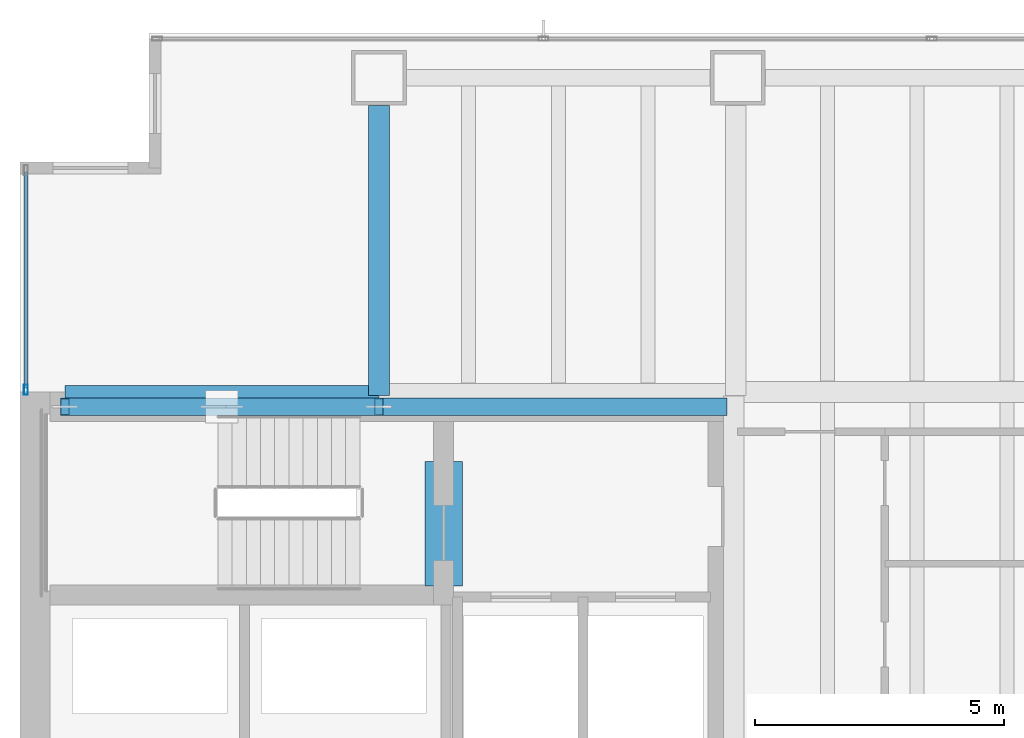
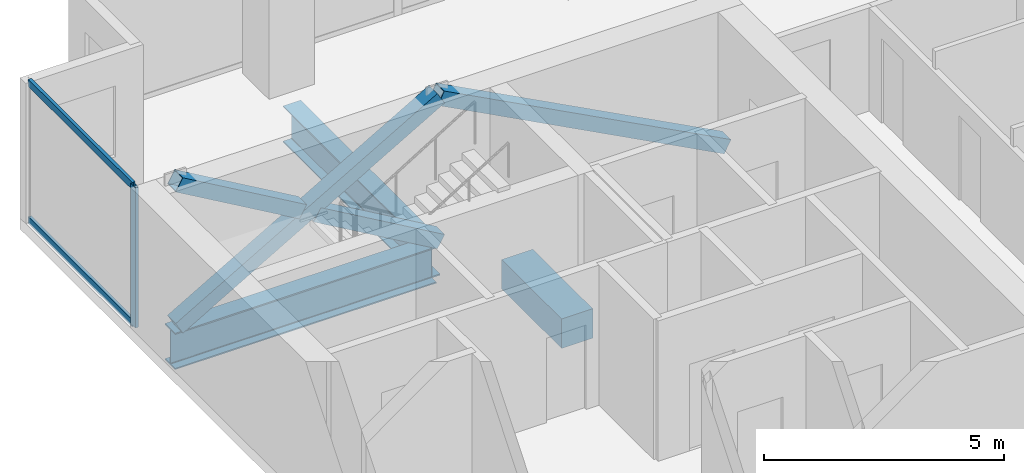
# One storey, part 14 of 25: 7 members, 3 beams, 1 element without a shape of its own.
"""IFC4 building model written with IfcOpenShell, lengths in metres."""

from ifc_helpers import new_model, si_unit, direction, frame, origin, origin_2d, place, context, subcontext, project, spatial, rectangle, hollow_rectangle, i_section, extrude, material, material_profile, profile_set, type_object, element, aggregate, save


model = new_model("IFC4")

# Units and contexts
model_context = context("Model", 3, precision=1e-05, world=origin(), true_north=direction((0.0, 1.0)))
body_context = subcontext(model_context, "Body", "Model", "MODEL_VIEW")
ifc_project = project(units=[si_unit("LENGTHUNIT", "METRE"), si_unit("AREAUNIT", "SQUARE_METRE"), si_unit("VOLUMEUNIT", "CUBIC_METRE"), si_unit("PLANEANGLEUNIT", "RADIAN"), si_unit("MASSUNIT", "GRAM", prefix="KILO")], contexts=[model_context])

# Site, building, storey
site_placement = place(None, origin())
site = spatial("IfcSite", under=ifc_project, at=site_placement, CompositionType="ELEMENT")
building_placement = place(site_placement, origin())
building = spatial("IfcBuilding", under=site, at=building_placement, Name="Cobrela Telecom Tower", CompositionType="ELEMENT")
storey_placement = place(building_placement, frame((0.0, 0.0, 35.0)))
storey = spatial("IfcBuildingStorey", under=building, at=storey_placement, Name="L08", CompositionType="ELEMENT", Elevation=35.0)

# Beams
ifc_material_1 = material(Name="Concrete C40/50", Category="concrete")
ifc_material_profile_1 = material_profile(ifc_material_1, rectangle(XDim=0.75, YDim=0.75, at=origin_2d()), Name="RC 750x750")
ifc_profile_set_1 = profile_set([ifc_material_profile_1], Name="Concrete C40/50")
beam_type_1 = type_object("IfcBeamType", Name="BM-COUP-RC", PredefinedType="LINTEL", material=ifc_profile_set_1)
beam_1_placement = place(storey_placement, frame((8.5, 32.10009765625, -0.6298828125), z_axis=(0.0, 1.0, 0.0), x_axis=(-1.0, 0.0, 0.0)))
element("IfcBeam", 1, at=beam_1_placement, inside=storey, type_object=beam_type_1, Name="L08 Core Coupling Lintel Beam", PredefinedType="LINTEL", context=body_context, shape_type="SweptSolid", body=[
    extrude(rectangle(XDim=0.75, YDim=0.75, at=origin_2d()), origin(), (0.0, 0.0, 1.0), 2.5),
])
ifc_material_2 = material(Name="Steel ASTM A992 Grade 50", Category="steel")
ifc_material_profile_2 = material_profile(ifc_material_2, i_section(OverallWidth=0.4189453125, OverallDepth=0.927001953125, WebThickness=0.019287109375, FlangeThickness=0.031982421875, FilletRadius=0.02392578125, at=origin_2d()), Name="W36X231")
ifc_profile_set_2 = profile_set([ifc_material_profile_2], Name="Steel ASTM A992 Grade 50")
beam_type_2 = type_object("IfcBeamType", Name="BM-GIRD-02", PredefinedType="USERDEFINED", material=ifc_profile_set_2)
beam_2_placement = place(storey_placement, frame((0.905029296875, 35.919921875, -0.743408203125), z_axis=(1.0, 0.0, 0.0), x_axis=(0.0, 1.0, 0.0)))
element("IfcBeam", 2, at=beam_2_placement, inside=storey, type_object=beam_type_2, Name="L08 Primary Girder X25", ObjectType="GIRDER", PredefinedType="USERDEFINED", context=body_context, shape_type="SweptSolid", body=[
    extrude(i_section(OverallWidth=0.4189453125, OverallDepth=0.927001953125, WebThickness=0.019287109375, FlangeThickness=0.031982421875, FilletRadius=0.02392578125, at=origin_2d()), origin(), (0.0, 0.0, 1.0), 6.2900390625),
])
beam_3_placement = place(storey_placement, frame((7.199951171875, 35.925048828125, -0.743408203125), z_axis=(0.0, 1.0, 0.0), x_axis=(-1.0, 0.0, 0.0)))
element("IfcBeam", 3, at=beam_3_placement, inside=storey, type_object=beam_type_2, Name="L08 Primary Girder Y33", ObjectType="GIRDER", PredefinedType="USERDEFINED", context=body_context, shape_type="SweptSolid", body=[
    extrude(i_section(OverallWidth=0.4189453125, OverallDepth=0.927001953125, WebThickness=0.019287109375, FlangeThickness=0.031982421875, FilletRadius=0.02392578125, at=origin_2d()), origin(), (0.0, 0.0, 1.0), 5.820068359375),
])

# Curtain wall, members
ifc_material_3 = material(Name="Anodized Bronze Aluminium 6063-T6", Category="aluminium")
curtain_wall_type = type_object("IfcCurtainWallType", Name="CW-SYS-DATA", PredefinedType="USERDEFINED", material=ifc_material_3)
curtain_wall_placement = place(storey_placement, origin())
curtain_wall = element("IfcCurtainWall", 4, at=curtain_wall_placement, inside=storey, type_object=curtain_wall_type, Name="L08 Unitised Bronze Curtain Wall 04", ObjectType="UNITISED CURTAIN WALL", PredefinedType="USERDEFINED")
ifc_material_profile_3 = material_profile(ifc_material_3, hollow_rectangle(XDim=0.080078125, YDim=0.199951171875, WallThickness=0.00390625, at=origin_2d()), Name="ALU 80x200x4")
ifc_profile_set_3 = profile_set([ifc_material_profile_3], Name="Anodized Bronze Aluminium 6063-T6")
member_type_1 = type_object("IfcMemberType", Name="CW-SYS-DATA-MUL", PredefinedType="MULLION", material=ifc_profile_set_3)
member_1_placement = place(storey_placement, frame((0.1201171875, 36.0400390625, 0.0), z_axis=(0.0, 0.0, 1.0), x_axis=(-1.0, 0.0, 0.0)))
member_1 = element("IfcMember", 5, at=member_1_placement, type_object=member_type_1, Name="CW-DATA mullion 1", PredefinedType="MULLION", context=body_context, shape_type="SweptSolid", body=[
    extrude(hollow_rectangle(XDim=0.080078125, YDim=0.199951171875, WallThickness=0.00390625, at=origin_2d()), origin(), (0.0, 0.0, 1.0), 3.570068359375),
])
ifc_material_profile_4 = material_profile(ifc_material_3, hollow_rectangle(XDim=0.074951171875, YDim=0.179931640625, WallThickness=0.00390625, at=origin_2d()), Name="ALU 75x180x4")
ifc_profile_set_4 = profile_set([ifc_material_profile_4], Name="Anodized Bronze Aluminium 6063-T6")
member_type_2 = type_object("IfcMemberType", Name="CW-SYS-DATA-TRN", PredefinedType="USERDEFINED", material=ifc_profile_set_4)
member_2_placement = place(storey_placement, frame((0.1201171875, 36.080078125, 0.03759765625), z_axis=(0.0, 1.0, 0.0), x_axis=(-1.0, 0.0, 0.0)))
member_2 = element("IfcMember", 6, at=member_2_placement, type_object=member_type_2, Name="CW-DATA transom 1.1", ObjectType="TRANSOM", PredefinedType="USERDEFINED", context=body_context, shape_type="SweptSolid", body=[
    extrude(hollow_rectangle(XDim=0.074951171875, YDim=0.179931640625, WallThickness=0.00390625, at=origin_2d()), origin(), (0.0, 0.0, 1.0), 4.329833984375),
])
member_3_placement = place(storey_placement, frame((0.1201171875, 36.080078125, 3.532470703125), z_axis=(0.0, 1.0, 0.0), x_axis=(-1.0, 0.0, 0.0)))
member_3 = element("IfcMember", 7, at=member_3_placement, type_object=member_type_2, Name="CW-DATA transom 1.2", ObjectType="TRANSOM", PredefinedType="USERDEFINED", context=body_context, shape_type="SweptSolid", body=[
    extrude(hollow_rectangle(XDim=0.074951171875, YDim=0.179931640625, WallThickness=0.00390625, at=origin_2d()), origin(), (0.0, 0.0, 1.0), 4.329833984375),
])
aggregate(curtain_wall, [member_1, member_2, member_3])

# Members
ifc_material_4 = material(Name="Steel ASTM A572 Grade 50", Category="steel")
ifc_material_profile_5 = material_profile(ifc_material_4, hollow_rectangle(XDim=0.35009765625, YDim=0.35009765625, WallThickness=0.01611328125, at=origin_2d()), Name="HSS 350x350x16")
ifc_profile_set_5 = profile_set([ifc_material_profile_5], Name="Steel ASTM A572 Grade 50")
member_type_3 = type_object("IfcMemberType", Name="MBR-EXO-02", PredefinedType="BRACE", material=ifc_profile_set_5)
member_4_placement = place(storey_placement, frame((0.89990234375, 35.699951171875, -0.0400390625), z_axis=(0.865262480916, 0.0, 0.501319099096), x_axis=(0.0, 1.0, 0.0)))
element("IfcMember", 8, at=member_4_placement, inside=storey, type_object=member_type_3, Name="L08 Core Flange Steel X-Brace Continuous A", PredefinedType="BRACE", context=body_context, shape_type="SweptSolid", body=[
    extrude(hollow_rectangle(XDim=0.35009765625, YDim=0.35009765625, WallThickness=0.01611328125, at=origin_2d()), origin(), (0.0, 0.0, 1.0), 7.281005859375),
])
for number, where, z_axis, x_axis, name in (
    (9, (7.199951171875, 35.699951171875, -0.0400390625), (-0.865266106373, 0.0, 0.50131284161), (0.0, -1.0, 0.0), "L08 Core Flange Steel X-Brace Split B1"),
    (10, (3.88037109375, 35.699951171875, 1.88330078125), (-0.865266106373, 0.0, 0.50131284161), (0.0, -1.0, 0.0), "L08 Core Flange Steel X-Brace Split B2"),
):
    element("IfcMember", number, at=place(storey_placement, frame(where, z_axis=z_axis, x_axis=x_axis)), inside=storey, type_object=member_type_3, Name=name, PredefinedType="BRACE", context=body_context, shape_type="SweptSolid", body=[
        extrude(hollow_rectangle(XDim=0.35009765625, YDim=0.35009765625, WallThickness=0.01611328125, at=origin_2d()), origin(), (0.0, 0.0, 1.0), 3.444580078125),
    ])
member_5_placement = place(storey_placement, frame((14.10009765625, 35.699951171875, -0.0400390625), z_axis=(-0.883940020796, 0.0, 0.46760029901), x_axis=(0.0, -1.0, 0.0)))
element("IfcMember", 11, at=member_5_placement, inside=storey, type_object=member_type_3, Name="L08 Core Flange Steel Brace N2", PredefinedType="BRACE", context=body_context, shape_type="SweptSolid", body=[
    extrude(hollow_rectangle(XDim=0.35009765625, YDim=0.35009765625, WallThickness=0.01611328125, at=origin_2d()), origin(), (0.0, 0.0, 1.0), 7.80615234375),
])

save(model, "model.ifc")
